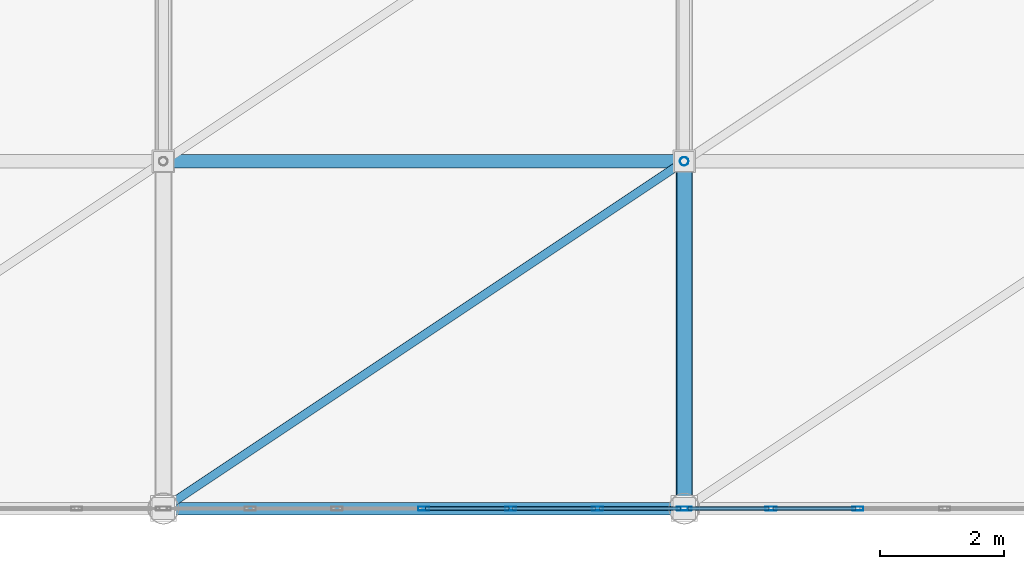
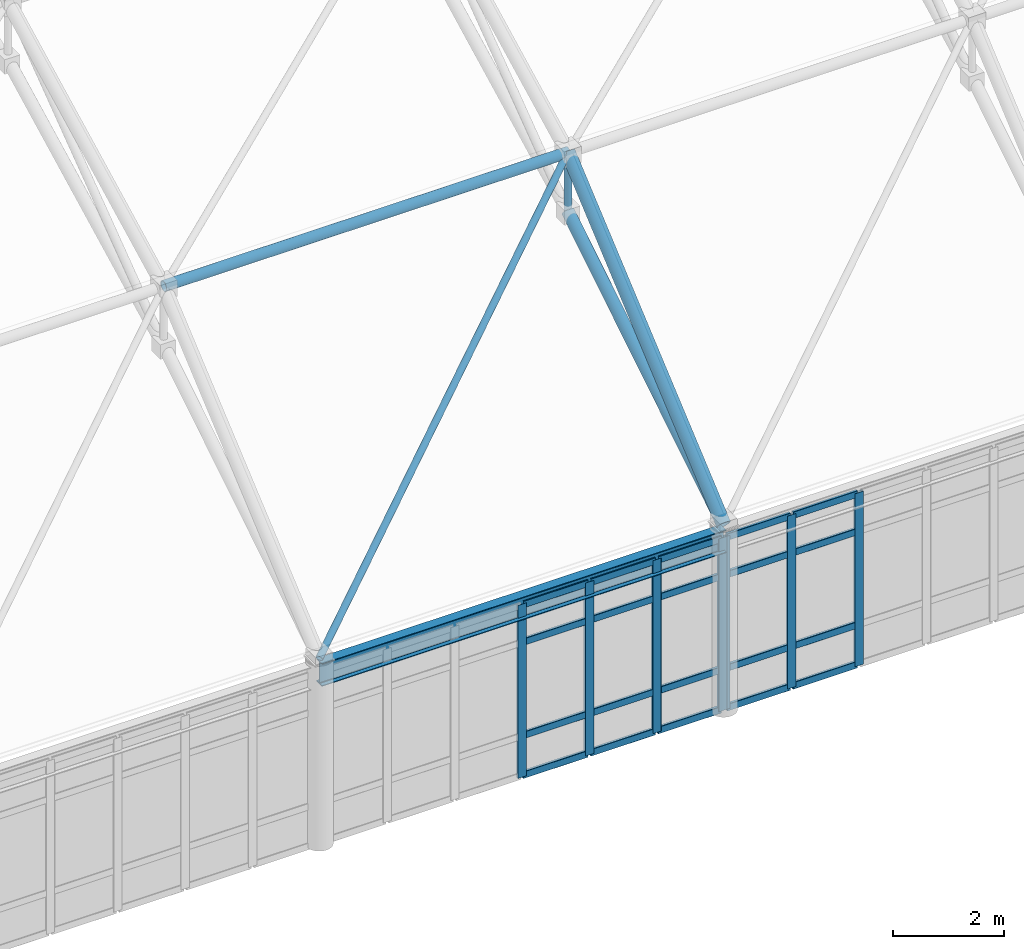
# One storey, part 71 of 184: 32 members, 1 beam, 2 elements without a shape of their own.
"""IFC4 building model written with IfcOpenShell, lengths in metres."""

from ifc_helpers import new_model, si_unit, direction, frame, origin, origin_2d, place, context, subcontext, project, spatial, hollow_rectangle, hollow_circle, i_section, extrude, material, layer, layer_set, material_profile, profile_set, type_object, element, aggregate, save


model = new_model("IFC4")

# Units and contexts
model_context = context("Model", 3, precision=1e-05, world=origin(), true_north=direction((0.0, 1.0)))
body_context = subcontext(model_context, "Body", "Model", "MODEL_VIEW")
ifc_project = project(units=[si_unit("LENGTHUNIT", "METRE"), si_unit("AREAUNIT", "SQUARE_METRE"), si_unit("VOLUMEUNIT", "CUBIC_METRE"), si_unit("PLANEANGLEUNIT", "RADIAN"), si_unit("MASSUNIT", "GRAM", prefix="KILO")], contexts=[model_context])

# Site, building, storey
site_placement = place(None, origin())
site = spatial("IfcSite", under=ifc_project, at=site_placement, CompositionType="ELEMENT")
building_placement = place(site_placement, origin())
building = spatial("IfcBuilding", under=site, at=building_placement, Name="Qalvenar Corner Mobility Hub", CompositionType="ELEMENT")
storey_placement = place(building_placement, frame((0.0, 0.0, 9.0)))
storey = spatial("IfcBuildingStorey", under=building, at=storey_placement, Name="L02", CompositionType="ELEMENT", Elevation=9.0)

# Beam
ifc_material_1 = material(Name="Steel S355", Category="steel")
ifc_material_profile_1 = material_profile(ifc_material_1, i_section(OverallWidth=0.199951171875, OverallDepth=0.5, WebThickness=0.01025390625, FlangeThickness=0.01611328125, FilletRadius=0.02099609375, at=origin_2d()), Name="IPE500")
ifc_profile_set_1 = profile_set([ifc_material_profile_1], Name="Steel S355")
beam_type = type_object("IfcBeamType", Name="BM-IPE500", PredefinedType="BEAM", material=ifc_profile_set_1)
beam_placement = place(storey_placement, frame((84.0, 0.0, 3.75), z_axis=(1.0, 0.0, 0.0), x_axis=(0.0, 1.0, 0.0)))
element("IfcBeam", 1, at=beam_placement, inside=storey, type_object=beam_type, Name="Space Frame Ring Beam SFRB-5-0", PredefinedType="BEAM", context=body_context, shape_type="SweptSolid", body=[
    extrude(i_section(OverallWidth=0.199951171875, OverallDepth=0.5, WebThickness=0.01025390625, FlangeThickness=0.01611328125, FilletRadius=0.02099609375, at=origin_2d()), origin(), (0.0, 0.0, 1.0), 8.39990234375),
])

# Curtain wall, members
ifc_material_2 = material(Name="Anodised Aluminium and Low-E Glazing", Category="aluminium")
ifc_layer = layer(ifc_material_2, 0.179931640625)
ifc_layer_set = layer_set([ifc_layer], Name="Anodised Aluminium and Low-E Glazing")
curtain_wall_type = type_object("IfcCurtainWallType", Name="CW-CONC-84X42", PredefinedType="NOTDEFINED", material=ifc_layer_set)
curtain_wall_1_placement = place(storey_placement, origin())
curtain_wall_1 = element("IfcCurtainWall", 2, at=curtain_wall_1_placement, inside=storey, type_object=curtain_wall_type, Name="Glazed Curtain Wall CW-V1-L02-S4", PredefinedType="NOTDEFINED")
ifc_material_3 = material(Name="Anodised Aluminium 6063-T6", Category="aluminium")
ifc_material_profile_2 = material_profile(ifc_material_3, hollow_rectangle(XDim=0.06494140625, YDim=0.179931640625, WallThickness=0.00390625, InnerFilletRadius=0.00390625, OuterFilletRadius=0.008056640625, at=origin_2d()), Name="RHS180x65x4")
ifc_profile_set_2 = profile_set([ifc_material_profile_2], Name="Anodised Aluminium 6063-T6")
member_type_1 = type_object("IfcMemberType", Name="CW-MUL180", PredefinedType="MULLION", material=ifc_profile_set_2)
member_1_placement = place(storey_placement, frame((88.199951171875, 0.0, 0.0), z_axis=(0.0, 0.0, 1.0), x_axis=(0.0, 1.0, 0.0)))
member_1 = element("IfcMember", 3, at=member_1_placement, type_object=member_type_1, Name="CW-02 mullion 4", PredefinedType="MULLION", context=body_context, shape_type="SweptSolid", body=[
    extrude(hollow_rectangle(XDim=0.06494140625, YDim=0.179931640625, WallThickness=0.00390625, InnerFilletRadius=0.00390625, OuterFilletRadius=0.008056640625, at=origin_2d()), origin(), (0.0, 0.0, 1.0), 3.800048828125),
])
member_2_placement = place(storey_placement, frame((89.60009765625, 0.0, 0.0), z_axis=(0.0, 0.0, 1.0), x_axis=(0.0, 1.0, 0.0)))
member_2 = element("IfcMember", 4, at=member_2_placement, type_object=member_type_1, Name="CW-02 mullion 5", PredefinedType="MULLION", context=body_context, shape_type="SweptSolid", body=[
    extrude(hollow_rectangle(XDim=0.06494140625, YDim=0.179931640625, WallThickness=0.00390625, InnerFilletRadius=0.00390625, OuterFilletRadius=0.008056640625, at=origin_2d()), origin(), (0.0, 0.0, 1.0), 3.800048828125),
])
member_3_placement = place(storey_placement, frame((91.0, 0.0, 0.0), z_axis=(0.0, 0.0, 1.0), x_axis=(0.0, 1.0, 0.0)))
member_3 = element("IfcMember", 5, at=member_3_placement, type_object=member_type_1, Name="CW-02 mullion 6", PredefinedType="MULLION", context=body_context, shape_type="SweptSolid", body=[
    extrude(hollow_rectangle(XDim=0.06494140625, YDim=0.179931640625, WallThickness=0.00390625, InnerFilletRadius=0.00390625, OuterFilletRadius=0.008056640625, at=origin_2d()), origin(), (0.0, 0.0, 1.0), 3.800048828125),
])
member_4_placement = place(storey_placement, frame((92.3701171875, 0.0, 0.0), z_axis=(0.0, 0.0, 1.0), x_axis=(0.0, 1.0, 0.0)))
member_4 = element("IfcMember", 6, at=member_4_placement, type_object=member_type_1, Name="CW-02 mullion 7", PredefinedType="MULLION", context=body_context, shape_type="SweptSolid", body=[
    extrude(hollow_rectangle(XDim=0.06494140625, YDim=0.179931640625, WallThickness=0.00390625, InnerFilletRadius=0.00390625, OuterFilletRadius=0.008056640625, at=origin_2d()), origin(), (0.0, 0.0, 1.0), 3.800048828125),
])

curtain_wall_2_placement = place(storey_placement, origin())
curtain_wall_2 = element("IfcCurtainWall", 7, at=curtain_wall_2_placement, inside=storey, type_object=curtain_wall_type, Name="Glazed Curtain Wall CW-V1-L02-S5", PredefinedType="NOTDEFINED")
member_5_placement = place(storey_placement, frame((92.429931640625, 0.0, 0.0), z_axis=(0.0, 0.0, 1.0), x_axis=(0.0, 1.0, 0.0)))
member_5 = element("IfcMember", 8, at=member_5_placement, type_object=member_type_1, Name="CW-02 mullion 1", PredefinedType="MULLION", context=body_context, shape_type="SweptSolid", body=[
    extrude(hollow_rectangle(XDim=0.06494140625, YDim=0.179931640625, WallThickness=0.00390625, InnerFilletRadius=0.00390625, OuterFilletRadius=0.008056640625, at=origin_2d()), origin(), (0.0, 0.0, 1.0), 3.800048828125),
])
member_6_placement = place(storey_placement, frame((93.800048828125, 0.0, 0.0), z_axis=(0.0, 0.0, 1.0), x_axis=(0.0, 1.0, 0.0)))
member_6 = element("IfcMember", 9, at=member_6_placement, type_object=member_type_1, Name="CW-02 mullion 2", PredefinedType="MULLION", context=body_context, shape_type="SweptSolid", body=[
    extrude(hollow_rectangle(XDim=0.06494140625, YDim=0.179931640625, WallThickness=0.00390625, InnerFilletRadius=0.00390625, OuterFilletRadius=0.008056640625, at=origin_2d()), origin(), (0.0, 0.0, 1.0), 3.800048828125),
])
member_7_placement = place(storey_placement, frame((95.199951171875, 0.0, 0.0), z_axis=(0.0, 0.0, 1.0), x_axis=(0.0, 1.0, 0.0)))
member_7 = element("IfcMember", 10, at=member_7_placement, type_object=member_type_1, Name="CW-02 mullion 3", PredefinedType="MULLION", context=body_context, shape_type="SweptSolid", body=[
    extrude(hollow_rectangle(XDim=0.06494140625, YDim=0.179931640625, WallThickness=0.00390625, InnerFilletRadius=0.00390625, OuterFilletRadius=0.008056640625, at=origin_2d()), origin(), (0.0, 0.0, 1.0), 3.800048828125),
])

# Member
ifc_material_profile_3 = material_profile(ifc_material_3, hollow_rectangle(XDim=0.06005859375, YDim=0.14990234375, WallThickness=0.00341796875, InnerFilletRadius=0.00341796875, OuterFilletRadius=0.007080078125, at=origin_2d()), Name="RHS150x60x3.5")
ifc_profile_set_3 = profile_set([ifc_material_profile_3], Name="Anodised Aluminium 6063-T6")
member_type_2 = type_object("IfcMemberType", Name="CW-TRN150", PredefinedType="USERDEFINED", material=ifc_profile_set_3)
member_8_placement = place(storey_placement, frame((88.22998046875, 0.0, 0.027587890625), z_axis=(1.0, 0.0, 0.0), x_axis=(0.0, 1.0, 0.0)))
member_8 = element("IfcMember", 11, at=member_8_placement, type_object=member_type_2, Name="CW-02 transom 4.1", ObjectType="TRANSOM", PredefinedType="USERDEFINED", context=body_context, shape_type="SweptSolid", body=[
    extrude(hollow_rectangle(XDim=0.06005859375, YDim=0.14990234375, WallThickness=0.00341796875, InnerFilletRadius=0.00341796875, OuterFilletRadius=0.007080078125, at=origin_2d()), origin(), (0.0, 0.0, 1.0), 1.340087890625),
])

member_9_placement = place(storey_placement, frame((88.22998046875, 0.0, 0.89990234375), z_axis=(1.0, 0.0, 0.0), x_axis=(0.0, 1.0, 0.0)))
member_9 = element("IfcMember", 12, at=member_9_placement, type_object=member_type_2, Name="CW-02 transom 4.2", ObjectType="TRANSOM", PredefinedType="USERDEFINED", context=body_context, shape_type="SweptSolid", body=[
    extrude(hollow_rectangle(XDim=0.06005859375, YDim=0.14990234375, WallThickness=0.00341796875, InnerFilletRadius=0.00341796875, OuterFilletRadius=0.007080078125, at=origin_2d()), origin(), (0.0, 0.0, 1.0), 1.340087890625),
])

member_10_placement = place(storey_placement, frame((88.22998046875, 0.0, 2.949951171875), z_axis=(1.0, 0.0, 0.0), x_axis=(0.0, 1.0, 0.0)))
member_10 = element("IfcMember", 13, at=member_10_placement, type_object=member_type_2, Name="CW-02 transom 4.3", ObjectType="TRANSOM", PredefinedType="USERDEFINED", context=body_context, shape_type="SweptSolid", body=[
    extrude(hollow_rectangle(XDim=0.06005859375, YDim=0.14990234375, WallThickness=0.00341796875, InnerFilletRadius=0.00341796875, OuterFilletRadius=0.007080078125, at=origin_2d()), origin(), (0.0, 0.0, 1.0), 1.340087890625),
])

member_11_placement = place(storey_placement, frame((88.22998046875, 0.0, 3.7724609375), z_axis=(1.0, 0.0, 0.0), x_axis=(0.0, 1.0, 0.0)))
member_11 = element("IfcMember", 14, at=member_11_placement, type_object=member_type_2, Name="CW-02 transom 4.4", ObjectType="TRANSOM", PredefinedType="USERDEFINED", context=body_context, shape_type="SweptSolid", body=[
    extrude(hollow_rectangle(XDim=0.06005859375, YDim=0.14990234375, WallThickness=0.00341796875, InnerFilletRadius=0.00341796875, OuterFilletRadius=0.007080078125, at=origin_2d()), origin(), (0.0, 0.0, 1.0), 1.340087890625),
])

member_12_placement = place(storey_placement, frame((89.6298828125, 0.0, 0.027587890625), z_axis=(1.0, 0.0, 0.0), x_axis=(0.0, 1.0, 0.0)))
member_12 = element("IfcMember", 15, at=member_12_placement, type_object=member_type_2, Name="CW-02 transom 5.1", ObjectType="TRANSOM", PredefinedType="USERDEFINED", context=body_context, shape_type="SweptSolid", body=[
    extrude(hollow_rectangle(XDim=0.06005859375, YDim=0.14990234375, WallThickness=0.00341796875, InnerFilletRadius=0.00341796875, OuterFilletRadius=0.007080078125, at=origin_2d()), origin(), (0.0, 0.0, 1.0), 1.340087890625),
])

member_13_placement = place(storey_placement, frame((89.6298828125, 0.0, 0.89990234375), z_axis=(1.0, 0.0, 0.0), x_axis=(0.0, 1.0, 0.0)))
member_13 = element("IfcMember", 16, at=member_13_placement, type_object=member_type_2, Name="CW-02 transom 5.2", ObjectType="TRANSOM", PredefinedType="USERDEFINED", context=body_context, shape_type="SweptSolid", body=[
    extrude(hollow_rectangle(XDim=0.06005859375, YDim=0.14990234375, WallThickness=0.00341796875, InnerFilletRadius=0.00341796875, OuterFilletRadius=0.007080078125, at=origin_2d()), origin(), (0.0, 0.0, 1.0), 1.340087890625),
])

member_14_placement = place(storey_placement, frame((89.6298828125, 0.0, 2.949951171875), z_axis=(1.0, 0.0, 0.0), x_axis=(0.0, 1.0, 0.0)))
member_14 = element("IfcMember", 17, at=member_14_placement, type_object=member_type_2, Name="CW-02 transom 5.3", ObjectType="TRANSOM", PredefinedType="USERDEFINED", context=body_context, shape_type="SweptSolid", body=[
    extrude(hollow_rectangle(XDim=0.06005859375, YDim=0.14990234375, WallThickness=0.00341796875, InnerFilletRadius=0.00341796875, OuterFilletRadius=0.007080078125, at=origin_2d()), origin(), (0.0, 0.0, 1.0), 1.340087890625),
])

member_15_placement = place(storey_placement, frame((89.6298828125, 0.0, 3.7724609375), z_axis=(1.0, 0.0, 0.0), x_axis=(0.0, 1.0, 0.0)))
member_15 = element("IfcMember", 18, at=member_15_placement, type_object=member_type_2, Name="CW-02 transom 5.4", ObjectType="TRANSOM", PredefinedType="USERDEFINED", context=body_context, shape_type="SweptSolid", body=[
    extrude(hollow_rectangle(XDim=0.06005859375, YDim=0.14990234375, WallThickness=0.00341796875, InnerFilletRadius=0.00341796875, OuterFilletRadius=0.007080078125, at=origin_2d()), origin(), (0.0, 0.0, 1.0), 1.340087890625),
])

member_16_placement = place(storey_placement, frame((91.030029296875, 0.0, 0.027587890625), z_axis=(1.0, 0.0, 0.0), x_axis=(0.0, 1.0, 0.0)))
member_16 = element("IfcMember", 19, at=member_16_placement, type_object=member_type_2, Name="CW-02 transom 6.1", ObjectType="TRANSOM", PredefinedType="USERDEFINED", context=body_context, shape_type="SweptSolid", body=[
    extrude(hollow_rectangle(XDim=0.06005859375, YDim=0.14990234375, WallThickness=0.00341796875, InnerFilletRadius=0.00341796875, OuterFilletRadius=0.007080078125, at=origin_2d()), origin(), (0.0, 0.0, 1.0), 1.31005859375),
])

member_17_placement = place(storey_placement, frame((91.030029296875, 0.0, 0.89990234375), z_axis=(1.0, 0.0, 0.0), x_axis=(0.0, 1.0, 0.0)))
member_17 = element("IfcMember", 20, at=member_17_placement, type_object=member_type_2, Name="CW-02 transom 6.2", ObjectType="TRANSOM", PredefinedType="USERDEFINED", context=body_context, shape_type="SweptSolid", body=[
    extrude(hollow_rectangle(XDim=0.06005859375, YDim=0.14990234375, WallThickness=0.00341796875, InnerFilletRadius=0.00341796875, OuterFilletRadius=0.007080078125, at=origin_2d()), origin(), (0.0, 0.0, 1.0), 1.31005859375),
])

member_18_placement = place(storey_placement, frame((91.030029296875, 0.0, 2.949951171875), z_axis=(1.0, 0.0, 0.0), x_axis=(0.0, 1.0, 0.0)))
member_18 = element("IfcMember", 21, at=member_18_placement, type_object=member_type_2, Name="CW-02 transom 6.3", ObjectType="TRANSOM", PredefinedType="USERDEFINED", context=body_context, shape_type="SweptSolid", body=[
    extrude(hollow_rectangle(XDim=0.06005859375, YDim=0.14990234375, WallThickness=0.00341796875, InnerFilletRadius=0.00341796875, OuterFilletRadius=0.007080078125, at=origin_2d()), origin(), (0.0, 0.0, 1.0), 1.31005859375),
])

member_19_placement = place(storey_placement, frame((91.030029296875, 0.0, 3.7724609375), z_axis=(1.0, 0.0, 0.0), x_axis=(0.0, 1.0, 0.0)))
member_19 = element("IfcMember", 22, at=member_19_placement, type_object=member_type_2, Name="CW-02 transom 6.4", ObjectType="TRANSOM", PredefinedType="USERDEFINED", context=body_context, shape_type="SweptSolid", body=[
    extrude(hollow_rectangle(XDim=0.06005859375, YDim=0.14990234375, WallThickness=0.00341796875, InnerFilletRadius=0.00341796875, OuterFilletRadius=0.007080078125, at=origin_2d()), origin(), (0.0, 0.0, 1.0), 1.31005859375),
])

aggregate(curtain_wall_1, [member_1, member_2, member_3, member_4, member_8, member_9, member_10, member_11, member_12, member_13, member_14, member_15, member_16, member_17, member_18, member_19])

member_20_placement = place(storey_placement, frame((92.4599609375, 0.0, 0.027587890625), z_axis=(1.0, 0.0, 0.0), x_axis=(0.0, 1.0, 0.0)))
member_20 = element("IfcMember", 23, at=member_20_placement, type_object=member_type_2, Name="CW-02 transom 1.1", ObjectType="TRANSOM", PredefinedType="USERDEFINED", context=body_context, shape_type="SweptSolid", body=[
    extrude(hollow_rectangle(XDim=0.06005859375, YDim=0.14990234375, WallThickness=0.00341796875, InnerFilletRadius=0.00341796875, OuterFilletRadius=0.007080078125, at=origin_2d()), origin(), (0.0, 0.0, 1.0), 1.31005859375),
])

member_21_placement = place(storey_placement, frame((92.4599609375, 0.0, 0.89990234375), z_axis=(1.0, 0.0, 0.0), x_axis=(0.0, 1.0, 0.0)))
member_21 = element("IfcMember", 24, at=member_21_placement, type_object=member_type_2, Name="CW-02 transom 1.2", ObjectType="TRANSOM", PredefinedType="USERDEFINED", context=body_context, shape_type="SweptSolid", body=[
    extrude(hollow_rectangle(XDim=0.06005859375, YDim=0.14990234375, WallThickness=0.00341796875, InnerFilletRadius=0.00341796875, OuterFilletRadius=0.007080078125, at=origin_2d()), origin(), (0.0, 0.0, 1.0), 1.31005859375),
])

member_22_placement = place(storey_placement, frame((92.4599609375, 0.0, 2.949951171875), z_axis=(1.0, 0.0, 0.0), x_axis=(0.0, 1.0, 0.0)))
member_22 = element("IfcMember", 25, at=member_22_placement, type_object=member_type_2, Name="CW-02 transom 1.3", ObjectType="TRANSOM", PredefinedType="USERDEFINED", context=body_context, shape_type="SweptSolid", body=[
    extrude(hollow_rectangle(XDim=0.06005859375, YDim=0.14990234375, WallThickness=0.00341796875, InnerFilletRadius=0.00341796875, OuterFilletRadius=0.007080078125, at=origin_2d()), origin(), (0.0, 0.0, 1.0), 1.31005859375),
])

member_23_placement = place(storey_placement, frame((92.4599609375, 0.0, 3.7724609375), z_axis=(1.0, 0.0, 0.0), x_axis=(0.0, 1.0, 0.0)))
member_23 = element("IfcMember", 26, at=member_23_placement, type_object=member_type_2, Name="CW-02 transom 1.4", ObjectType="TRANSOM", PredefinedType="USERDEFINED", context=body_context, shape_type="SweptSolid", body=[
    extrude(hollow_rectangle(XDim=0.06005859375, YDim=0.14990234375, WallThickness=0.00341796875, InnerFilletRadius=0.00341796875, OuterFilletRadius=0.007080078125, at=origin_2d()), origin(), (0.0, 0.0, 1.0), 1.31005859375),
])

member_24_placement = place(storey_placement, frame((93.830078125, 0.0, 0.027587890625), z_axis=(1.0, 0.0, 0.0), x_axis=(0.0, 1.0, 0.0)))
member_24 = element("IfcMember", 27, at=member_24_placement, type_object=member_type_2, Name="CW-02 transom 2.1", ObjectType="TRANSOM", PredefinedType="USERDEFINED", context=body_context, shape_type="SweptSolid", body=[
    extrude(hollow_rectangle(XDim=0.06005859375, YDim=0.14990234375, WallThickness=0.00341796875, InnerFilletRadius=0.00341796875, OuterFilletRadius=0.007080078125, at=origin_2d()), origin(), (0.0, 0.0, 1.0), 1.33984375),
])

member_25_placement = place(storey_placement, frame((93.830078125, 0.0, 0.89990234375), z_axis=(1.0, 0.0, 0.0), x_axis=(0.0, 1.0, 0.0)))
member_25 = element("IfcMember", 28, at=member_25_placement, type_object=member_type_2, Name="CW-02 transom 2.2", ObjectType="TRANSOM", PredefinedType="USERDEFINED", context=body_context, shape_type="SweptSolid", body=[
    extrude(hollow_rectangle(XDim=0.06005859375, YDim=0.14990234375, WallThickness=0.00341796875, InnerFilletRadius=0.00341796875, OuterFilletRadius=0.007080078125, at=origin_2d()), origin(), (0.0, 0.0, 1.0), 1.33984375),
])

member_26_placement = place(storey_placement, frame((93.830078125, 0.0, 2.949951171875), z_axis=(1.0, 0.0, 0.0), x_axis=(0.0, 1.0, 0.0)))
member_26 = element("IfcMember", 29, at=member_26_placement, type_object=member_type_2, Name="CW-02 transom 2.3", ObjectType="TRANSOM", PredefinedType="USERDEFINED", context=body_context, shape_type="SweptSolid", body=[
    extrude(hollow_rectangle(XDim=0.06005859375, YDim=0.14990234375, WallThickness=0.00341796875, InnerFilletRadius=0.00341796875, OuterFilletRadius=0.007080078125, at=origin_2d()), origin(), (0.0, 0.0, 1.0), 1.33984375),
])

member_27_placement = place(storey_placement, frame((93.830078125, 0.0, 3.7724609375), z_axis=(1.0, 0.0, 0.0), x_axis=(0.0, 1.0, 0.0)))
member_27 = element("IfcMember", 30, at=member_27_placement, type_object=member_type_2, Name="CW-02 transom 2.4", ObjectType="TRANSOM", PredefinedType="USERDEFINED", context=body_context, shape_type="SweptSolid", body=[
    extrude(hollow_rectangle(XDim=0.06005859375, YDim=0.14990234375, WallThickness=0.00341796875, InnerFilletRadius=0.00341796875, OuterFilletRadius=0.007080078125, at=origin_2d()), origin(), (0.0, 0.0, 1.0), 1.33984375),
])

aggregate(curtain_wall_2, [member_5, member_6, member_7, member_20, member_21, member_22, member_23, member_24, member_25, member_26, member_27])

# Members
ifc_material_4 = material(Name="Steel S355", Category="steel")
ifc_material_profile_4 = material_profile(ifc_material_4, hollow_circle(Radius=0.109619140625, WallThickness=0.008056640625, at=origin_2d()), Name="CHS219.1x8")
ifc_profile_set_4 = profile_set([ifc_material_profile_4], Name="Steel S355")
member_type_3 = type_object("IfcMemberType", Name="SF-CHD219", PredefinedType="CHORD", material=ifc_profile_set_4)
member_28_placement = place(storey_placement, frame((84.0, 5.60009765625, 8.837890625), z_axis=(1.0, 0.0, 0.0), x_axis=(0.0, 1.0, 0.0)))
element("IfcMember", 31, at=member_28_placement, inside=storey, type_object=member_type_3, Name="Space Frame Longitudinal Chord SFL-0213", PredefinedType="CHORD", context=body_context, shape_type="SweptSolid", body=[
    extrude(hollow_circle(Radius=0.109619140625, WallThickness=0.008056640625, at=origin_2d()), origin(), (0.0, 0.0, 1.0), 8.39990234375),
])
ifc_material_profile_5 = material_profile(ifc_material_4, hollow_circle(Radius=0.122314453125, WallThickness=0.0087890625, at=origin_2d()), Name="CHS244.5x8.8")
ifc_profile_set_5 = profile_set([ifc_material_profile_5], Name="Steel S355")
member_type_4 = type_object("IfcMemberType", Name="SF-CHD244", PredefinedType="CHORD", material=ifc_profile_set_5)
member_29_placement = place(storey_placement, frame((92.39990234375, 0.0, 4.06005859375), z_axis=(0.0, 0.849513681623, 0.527566587964), x_axis=(-1.0, 0.0, 0.0)))
element("IfcMember", 32, at=member_29_placement, inside=storey, type_object=member_type_4, Name="Space Frame Bottom Chord SFBC-0107", PredefinedType="CHORD", context=body_context, shape_type="SweptSolid", body=[
    extrude(hollow_circle(Radius=0.122314453125, WallThickness=0.0087890625, at=origin_2d()), origin(), (0.0, 0.0, 1.0), 6.592041015625),
])
ifc_material_profile_6 = material_profile(ifc_material_4, hollow_circle(Radius=0.136474609375, WallThickness=0.010009765625, at=origin_2d()), Name="CHS273x10")
ifc_profile_set_6 = profile_set([ifc_material_profile_6], Name="Steel S355")
member_type_5 = type_object("IfcMemberType", Name="SF-CHD273", PredefinedType="CHORD", material=ifc_profile_set_6)
member_30_placement = place(storey_placement, frame((92.39990234375, 0.0, 4.06005859375), z_axis=(0.0, 0.760748216799, 0.64904710972), x_axis=(-1.0, 0.0, 0.0)))
element("IfcMember", 33, at=member_30_placement, inside=storey, type_object=member_type_5, Name="Space Frame Top Chord SFTC-0106", PredefinedType="CHORD", context=body_context, shape_type="SweptSolid", body=[
    extrude(hollow_circle(Radius=0.136474609375, WallThickness=0.010009765625, at=origin_2d()), origin(), (0.0, 0.0, 1.0), 7.361328125),
])
ifc_material_profile_7 = material_profile(ifc_material_4, hollow_circle(Radius=0.06982421875, WallThickness=0.0048828125, at=origin_2d()), Name="CHS139.7x5")
ifc_profile_set_7 = profile_set([ifc_material_profile_7], Name="Steel S355")
member_type_6 = type_object("IfcMemberType", Name="SF-STR139", PredefinedType="STRUT", material=ifc_profile_set_7)
member_31_placement = place(storey_placement, frame((92.39990234375, 5.60009765625, 7.537841796875), z_axis=(0.0, 0.0, 1.0), x_axis=(1.0, 0.0, 0.0)))
element("IfcMember", 34, at=member_31_placement, inside=storey, type_object=member_type_6, Name="Space Frame King Strut SFV-0122", PredefinedType="STRUT", context=body_context, shape_type="SweptSolid", body=[
    extrude(hollow_circle(Radius=0.06982421875, WallThickness=0.0048828125, at=origin_2d()), origin(), (0.0, 0.0, 1.0), 1.300048828125),
])
member_32_placement = place(storey_placement, frame((84.0, 0.0, 4.06005859375), z_axis=(0.752071189663, 0.50139536559, 0.427775189842), x_axis=(-0.554711357594, 0.832042853317, 0.0)))
element("IfcMember", 35, at=member_32_placement, inside=storey, type_object=member_type_6, Name="Space Frame Plan Strut SFP-0218", PredefinedType="STRUT", context=body_context, shape_type="SweptSolid", body=[
    extrude(hollow_circle(Radius=0.06982421875, WallThickness=0.0048828125, at=origin_2d()), origin(), (0.0, 0.0, 1.0), 11.1689453125),
])

save(model, "model.ifc")
